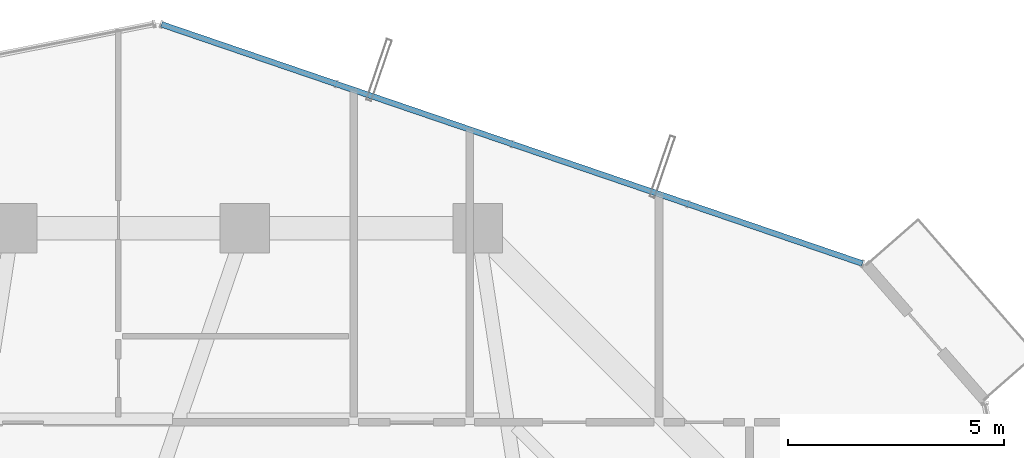
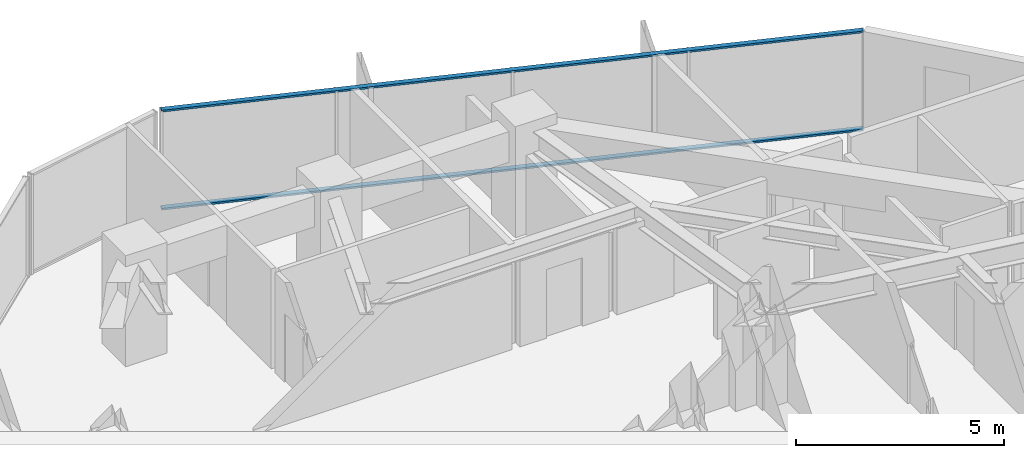
# One storey, part 26 of 36: 2 members, 1 element without a shape of its own.
"""IFC4 building model written with IfcOpenShell, lengths in metres."""

from ifc_helpers import new_model, si_unit, direction, frame, origin, origin_2d, place, context, subcontext, project, spatial, hollow_rectangle, extrude, source, transform, mapped, material, layer, layer_set, material_profile, profile_set, type_object, element, aggregate, save


model = new_model("IFC4")

# Units and contexts
model_context = context("Model", 3, precision=1e-05, world=origin(), true_north=direction((0.0, 1.0)))
body_context = subcontext(model_context, "Body", "Model", "MODEL_VIEW")
ifc_project = project(units=[si_unit("LENGTHUNIT", "METRE"), si_unit("AREAUNIT", "SQUARE_METRE"), si_unit("VOLUMEUNIT", "CUBIC_METRE"), si_unit("PLANEANGLEUNIT", "RADIAN"), si_unit("MASSUNIT", "GRAM", prefix="KILO")], contexts=[model_context])

# Site, building, storey
site_placement = place(None, origin())
site = spatial("IfcSite", under=ifc_project, at=site_placement, CompositionType="ELEMENT")
building_placement = place(site_placement, origin())
building = spatial("IfcBuilding", under=site, at=building_placement, Name="Veraguas Prism Commons", CompositionType="ELEMENT")
storey_placement = place(building_placement, frame((0.0, 0.0, 166.300048828125)))
storey = spatial("IfcBuildingStorey", under=building, at=storey_placement, Name="L47", CompositionType="ELEMENT", Elevation=166.300048828125)

# Curtain wall, members
ifc_material = material(Name="Anodised aluminium EN AW-6063 T6", Category="aluminium")
ifc_layer = layer(ifc_material, 0.169921875, Name="Unitised Flush Curtain Wall Zone 2", Category="aluminium")
ifc_layer_set = layer_set([ifc_layer], Name="Anodised aluminium EN AW-6063 T6")
curtain_wall_type = type_object("IfcCurtainWallType", Name="Unitised Flush Curtain Wall Zone 2", PredefinedType="NOTDEFINED", material=ifc_layer_set)
curtain_wall_placement = place(storey_placement, origin())
curtain_wall = element("IfcCurtainWall", 1, at=curtain_wall_placement, inside=storey, type_object=curtain_wall_type, Name="Tower Facade Curtain Wall L47-F1", PredefinedType="NOTDEFINED")
ifc_material_profile = material_profile(ifc_material, hollow_rectangle(XDim=0.054931640625, YDim=0.135009765625, WallThickness=0.0029296875, at=origin_2d()), Name="AL55X135X3")
ifc_profile_set = profile_set([ifc_material_profile], Name="Anodised aluminium EN AW-6063 T6")
member_type = type_object("IfcMemberType", Name="Curtain Wall Transom Standard AL 55x135x3", PredefinedType="USERDEFINED", material=ifc_profile_set)
shared_shape = source(origin(), body_context, "Body", "SweptSolid", [
    extrude(hollow_rectangle(XDim=0.054931640625, YDim=0.135009765625, WallThickness=0.0029296875, at=origin_2d()), origin(), (0.0, 0.0, 1.0), 17.17431640625),
])
member_1_placement = place(storey_placement, frame((38.321533203125, 39.381591796875, 0.02734375), z_axis=(-0.946422038145, 0.322932385667, 0.0), x_axis=(0.0, 0.0, 1.0)))
member_1 = element("IfcMember", 2, at=member_1_placement, type_object=member_type, Name="CW-Z2 Transom 1", ObjectType="TRANSOM", PredefinedType="USERDEFINED", context=body_context, shape_type="MappedRepresentation", body=[
    mapped(shared_shape, transform((0.0, 0.0, 0.0), scale=1.0)),
])
member_2_placement = place(storey_placement, frame((38.321533203125, 39.381591796875, 2.90234375), z_axis=(-0.946422038145, 0.322932385667, 0.0), x_axis=(0.0, 0.0, 1.0)))
member_2 = element("IfcMember", 3, at=member_2_placement, type_object=member_type, Name="CW-Z2 Transom 2", ObjectType="TRANSOM", PredefinedType="USERDEFINED", context=body_context, shape_type="MappedRepresentation", body=[
    mapped(shared_shape, transform((0.0, 0.0, 0.0), scale=1.0)),
])
aggregate(curtain_wall, [member_1, member_2])

save(model, "model.ifc")
